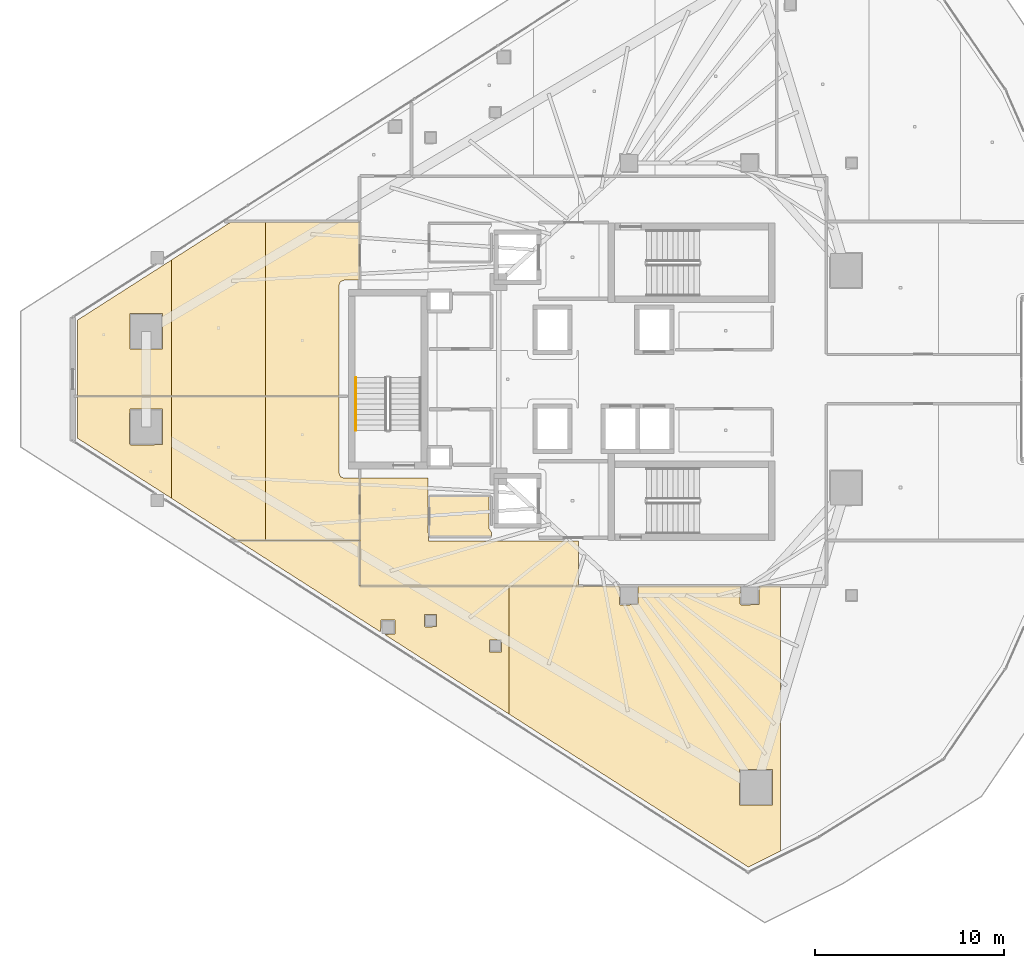
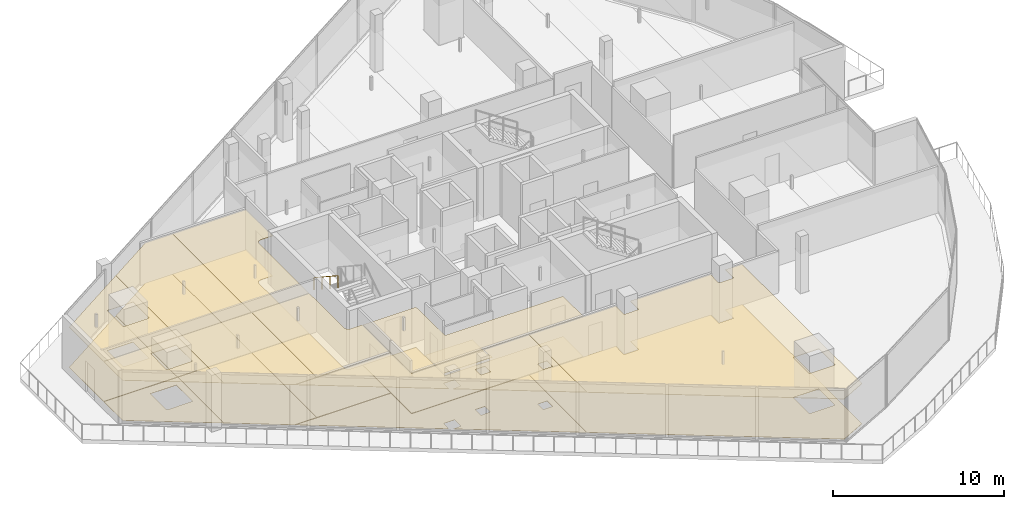
# One storey, part 28 of 33: 19 coverings, 1 railing.
"""IFC4 building model written with IfcOpenShell, lengths in metres."""

from ifc_helpers import new_model, si_unit, direction, frame, origin, origin_2d, place, context, subcontext, project, spatial, polyline, circle, outline, extrude, material, layer, layer_set, type_object, element, save


model = new_model("IFC4")

# Units and contexts
model_context = context("Model", 3, precision=1e-05, world=origin(), true_north=direction((0.0, 1.0)))
body_context = subcontext(model_context, "Body", "Model", "MODEL_VIEW")
ifc_project = project(units=[si_unit("LENGTHUNIT", "METRE"), si_unit("AREAUNIT", "SQUARE_METRE"), si_unit("VOLUMEUNIT", "CUBIC_METRE"), si_unit("PLANEANGLEUNIT", "RADIAN"), si_unit("MASSUNIT", "GRAM", prefix="KILO")], contexts=[model_context])

# Site, building, storey
site_placement = place(None, origin())
site = spatial("IfcSite", under=ifc_project, at=site_placement, CompositionType="ELEMENT")
building_placement = place(site_placement, origin())
building = spatial("IfcBuilding", under=site, at=building_placement, Name="Qorvath Tower", CompositionType="ELEMENT")
storey_placement = place(building_placement, frame((0.0, 0.0, 221.25)))
storey = spatial("IfcBuildingStorey", under=building, at=storey_placement, Name="L51", CompositionType="ELEMENT", Elevation=221.25)

# Coverings
ifc_material_1 = material(Name="Acoustic mineral fibre ceiling tile", Category="gypsum")
ifc_layer_1 = layer(ifc_material_1, 0.030029296875)
ifc_layer_set_1 = layer_set([ifc_layer_1], Name="COV-CEIL")
covering_type_1 = type_object("IfcCoveringType", Name="COV-CEIL", PredefinedType="CEILING", material=ifc_layer_set_1)
covering_1_placement = place(storey_placement, frame((0.0, 0.0, 2.85009765625)))
element("IfcCovering", 1, at=covering_1_placement, inside=storey, type_object=covering_type_1, Name="L51 Suspended Acoustic Ceiling 009", PredefinedType="CEILING", context=body_context, shape_type="SweptSolid", body=[
    extrude(outline(polyline([(-34.22509765625, -8.580078125), (-34.251220703125, -5.239990234375), (-37.844970703125, -5.239990234375), (-37.844970703125, -10.945068359375), (-26.2587890625, -10.945068359375), (-26.2587890625, -8.574951171875), (-34.22509765625, -8.580078125)])), origin(), (0.0, 0.0, 1.0), 0.030029296875),
])
covering_2_placement = place(storey_placement, frame((0.0, 0.0, 2.85009765625)))
element("IfcCovering", 2, at=covering_2_placement, inside=storey, type_object=covering_type_1, Name="L51 Suspended Acoustic Ceiling 019", PredefinedType="CEILING", context=body_context, shape_type="SweptSolid", body=[
    extrude(outline(polyline([(-29.949951171875, -17.739501953125), (-29.949951171875, -10.962890625), (-37.85791015625, -10.962890625), (-37.863037109375, -8.554931640625), (-44.3203125, -8.554931640625), (-36.749755859375, -13.3935546875), (-36.732177734375, -12.76806640625), (-35.997314453125, -12.76806640625), (-35.997314453125, -13.5029296875), (-36.551025390625, -13.5205078125), (-29.949951171875, -17.739501953125)]), holes=[polyline([(-30.99462890625, -14.441650390625), (-30.99462890625, -13.806884765625), (-30.35986328125, -13.806884765625), (-30.35986328125, -14.441650390625), (-30.99462890625, -14.441650390625)]), polyline([(-34.439208984375, -13.0673828125), (-34.421630859375, -12.47509765625), (-33.786865234375, -12.47509765625), (-33.786865234375, -13.10986328125), (-34.379150390625, -13.12744140625), (-34.439208984375, -13.0673828125)])]), origin(), (0.0, 0.0, 1.0), 0.030029296875),
])
covering_3_placement = place(storey_placement, frame((0.0, 0.0, 2.85009765625)))
element("IfcCovering", 3, at=covering_3_placement, inside=storey, type_object=covering_type_1, Name="L51 Suspended Acoustic Ceiling 020", PredefinedType="CEILING", context=body_context, shape_type="SweptSolid", body=[
    extrude(outline(polyline([(-15.579345703125, -24.994873046875), (-15.579345703125, -10.962890625), (-16.705322265625, -10.962890625), (-16.70751953125, -11.9423828125), (-17.64990234375, -11.9599609375), (-17.7099609375, -11.89990234375), (-17.694580078125, -10.962890625), (-23.105224609375, -10.962890625), (-23.107666015625, -11.9423828125), (-24.050048828125, -11.9599609375), (-24.110107421875, -11.89990234375), (-24.0947265625, -10.962890625), (-29.949951171875, -10.962890625), (-29.949951171875, -17.739501953125), (-17.273193359375, -25.841796875), (-15.579345703125, -24.994873046875)]), holes=[polyline([(-17.739013671875, -22.569580078125), (-17.739013671875, -20.6845703125), (-16.00439453125, -20.6845703125), (-16.00439453125, -22.569580078125), (-17.739013671875, -22.569580078125)])]), origin(), (0.0, 0.0, 1.0), 0.030029296875),
])
covering_4_placement = place(storey_placement, frame((0.0, 0.0, 2.85009765625)))
element("IfcCovering", 4, at=covering_4_placement, inside=storey, type_object=covering_type_1, Name="L51 Suspended Acoustic Ceiling 026", PredefinedType="CEILING", context=body_context, shape_type="SweptSolid", body=[
    extrude(outline(polyline([(-47.82958984375, -6.31201171875), (-47.82958984375, -0.915283203125), (-52.812744140625, -0.915283203125), (-52.812744140625, -3.127197265625), (-47.82958984375, -6.31201171875)]), holes=[polyline([(-50.056884765625, -3.427734375), (-50.039306640625, -1.58544921875), (-48.304443359375, -1.58544921875), (-48.304443359375, -3.47021484375), (-49.996826171875, -3.48779296875), (-50.056884765625, -3.427734375)])]), origin(), (0.0, 0.0, 1.0), 0.030029296875),
])
covering_5_placement = place(storey_placement, frame((0.0, 0.0, 2.85009765625)))
element("IfcCovering", 5, at=covering_5_placement, inside=storey, type_object=covering_type_1, Name="L51 Suspended Acoustic Ceiling 027", PredefinedType="CEILING", context=body_context, shape_type="SweptSolid", body=[
    extrude(outline(polyline([(-42.84619140625, -8.537109375), (-42.84619140625, -0.915283203125), (-47.82958984375, -0.915283203125), (-47.82958984375, -6.31201171875), (-44.348388671875, -8.537109375), (-42.84619140625, -8.537109375)])), origin(), (0.0, 0.0, 1.0), 0.030029296875),
])
covering_6_placement = place(storey_placement, frame((0.0, 0.0, 2.85009765625)))
element("IfcCovering", 6, at=covering_6_placement, inside=storey, type_object=covering_type_1, Name="L51 Suspended Acoustic Ceiling 028", PredefinedType="CEILING", context=body_context, shape_type="SweptSolid", body=[
    extrude(outline(polyline([(-37.863037109375, -8.537109375), (-37.863037109375, -5.239990234375), (-38.699951171875, -5.239990234375), (-38.876708984375, -5.166748046875), (-38.949951171875, -4.989990234375), (-38.949951171875, -0.915283203125), (-42.84619140625, -0.915283203125), (-42.84619140625, -8.537109375), (-37.863037109375, -8.537109375)])), origin(), (0.0, 0.0, 1.0), 0.030029296875),
])
covering_7_placement = place(storey_placement, frame((0.0, 0.0, 2.85009765625)))
element("IfcCovering", 7, at=covering_7_placement, inside=storey, type_object=covering_type_1, Name="L51 Suspended Acoustic Ceiling 029", PredefinedType="CEILING", context=body_context, shape_type="SweptSolid", body=[
    extrude(outline(polyline([(-47.82958984375, -0.897216796875), (-47.82958984375, 6.31201171875), (-52.812744140625, 3.127197265625), (-52.812744140625, -0.897216796875), (-47.82958984375, -0.897216796875)]), holes=[polyline([(-50.039306640625, 1.58544921875), (-50.039306640625, 3.47021484375), (-48.304443359375, 3.47021484375), (-48.304443359375, 1.58544921875), (-50.039306640625, 1.58544921875)])]), origin(), (0.0, 0.0, 1.0), 0.030029296875),
])
covering_8_placement = place(storey_placement, frame((0.0, 0.0, 2.85009765625)))
element("IfcCovering", 8, at=covering_8_placement, inside=storey, type_object=covering_type_1, Name="L51 Suspended Acoustic Ceiling 030", PredefinedType="CEILING", context=body_context, shape_type="SweptSolid", body=[
    extrude(outline(polyline([(-42.84619140625, -0.897216796875), (-42.84619140625, 8.3369140625), (-44.661376953125, 8.3369140625), (-47.82958984375, 6.31201171875), (-47.82958984375, -0.897216796875), (-42.84619140625, -0.897216796875)])), origin(), (0.0, 0.0, 1.0), 0.030029296875),
])
covering_9_placement = place(storey_placement, frame((0.0, 0.0, 2.85009765625)))
element("IfcCovering", 9, at=covering_9_placement, inside=storey, type_object=covering_type_1, Name="L51 Suspended Acoustic Ceiling 031", PredefinedType="CEILING", context=body_context, shape_type="SweptSolid", body=[
    extrude(outline(polyline([(-37.863037109375, 5.239990234375), (-37.863037109375, 8.3369140625), (-42.84619140625, 8.3369140625), (-42.84619140625, -0.897216796875), (-38.949951171875, -0.897216796875), (-38.949951171875, 4.989990234375), (-38.876708984375, 5.166748046875), (-38.699951171875, 5.239990234375), (-37.863037109375, 5.239990234375)])), origin(), (0.0, 0.0, 1.0), 0.030029296875),
])
ifc_material_2 = material(Name="Low-VOC modular carpet tile", Category="textile")
ifc_layer_2 = layer(ifc_material_2, 0.014892578125)
ifc_layer_set_2 = layer_set([ifc_layer_2], Name="COV-FLOOR-CPT")
covering_type_2 = type_object("IfcCoveringType", Name="COV-FLOOR-CPT", PredefinedType="FLOORING", material=ifc_layer_set_2)
covering_10_placement = place(storey_placement, origin())
element("IfcCovering", 10, at=covering_10_placement, inside=storey, type_object=covering_type_2, Name="L51 Floor Finish 019", PredefinedType="FLOORING", context=body_context, shape_type="SweptSolid", body=[
    extrude(outline(polyline([(-29.949951171875, -17.739501953125), (-29.949951171875, -10.962890625), (-37.85791015625, -10.962890625), (-37.863037109375, -8.554931640625), (-44.3203125, -8.554931640625), (-36.749755859375, -13.3935546875), (-36.732177734375, -12.76806640625), (-35.997314453125, -12.76806640625), (-35.997314453125, -13.5029296875), (-36.551025390625, -13.5205078125), (-29.949951171875, -17.739501953125)]), holes=[polyline([(-30.99462890625, -14.441650390625), (-30.99462890625, -13.806884765625), (-30.35986328125, -13.806884765625), (-30.35986328125, -14.441650390625), (-30.99462890625, -14.441650390625)]), polyline([(-34.439208984375, -13.0673828125), (-34.421630859375, -12.47509765625), (-33.786865234375, -12.47509765625), (-33.786865234375, -13.10986328125), (-34.379150390625, -13.12744140625), (-34.439208984375, -13.0673828125)])]), origin(), (0.0, 0.0, 1.0), 0.014892578125),
])
covering_11_placement = place(storey_placement, origin())
element("IfcCovering", 11, at=covering_11_placement, inside=storey, type_object=covering_type_2, Name="L51 Floor Finish 020", PredefinedType="FLOORING", context=body_context, shape_type="SweptSolid", body=[
    extrude(outline(polyline([(-15.579345703125, -24.994873046875), (-15.579345703125, -10.962890625), (-16.705322265625, -10.962890625), (-16.70751953125, -11.9423828125), (-17.64990234375, -11.9599609375), (-17.7099609375, -11.89990234375), (-17.694580078125, -10.962890625), (-23.105224609375, -10.962890625), (-23.107666015625, -11.9423828125), (-24.050048828125, -11.9599609375), (-24.110107421875, -11.89990234375), (-24.0947265625, -10.962890625), (-29.949951171875, -10.962890625), (-29.949951171875, -17.739501953125), (-17.273193359375, -25.841796875), (-15.579345703125, -24.994873046875)]), holes=[polyline([(-17.739013671875, -22.569580078125), (-17.739013671875, -20.6845703125), (-16.00439453125, -20.6845703125), (-16.00439453125, -22.569580078125), (-17.739013671875, -22.569580078125)])]), origin(), (0.0, 0.0, 1.0), 0.014892578125),
])
covering_12_placement = place(storey_placement, origin())
element("IfcCovering", 12, at=covering_12_placement, inside=storey, type_object=covering_type_2, Name="L51 Floor Finish 026", PredefinedType="FLOORING", context=body_context, shape_type="SweptSolid", body=[
    extrude(outline(polyline([(-47.82958984375, -6.31201171875), (-47.82958984375, -0.915283203125), (-52.812744140625, -0.915283203125), (-52.812744140625, -3.127197265625), (-47.82958984375, -6.31201171875)]), holes=[polyline([(-50.056884765625, -3.427734375), (-50.039306640625, -1.58544921875), (-48.304443359375, -1.58544921875), (-48.304443359375, -3.47021484375), (-49.996826171875, -3.48779296875), (-50.056884765625, -3.427734375)])]), origin(), (0.0, 0.0, 1.0), 0.014892578125),
])
covering_13_placement = place(storey_placement, origin())
element("IfcCovering", 13, at=covering_13_placement, inside=storey, type_object=covering_type_2, Name="L51 Floor Finish 027", PredefinedType="FLOORING", context=body_context, shape_type="SweptSolid", body=[
    extrude(outline(polyline([(-42.84619140625, -8.537109375), (-42.84619140625, -0.915283203125), (-47.82958984375, -0.915283203125), (-47.82958984375, -6.31201171875), (-44.348388671875, -8.537109375), (-42.84619140625, -8.537109375)])), origin(), (0.0, 0.0, 1.0), 0.014892578125),
])
covering_14_placement = place(storey_placement, origin())
element("IfcCovering", 14, at=covering_14_placement, inside=storey, type_object=covering_type_2, Name="L51 Floor Finish 028", PredefinedType="FLOORING", context=body_context, shape_type="SweptSolid", body=[
    extrude(outline(polyline([(-37.863037109375, -8.537109375), (-37.863037109375, -5.239990234375), (-38.699951171875, -5.239990234375), (-38.876708984375, -5.166748046875), (-38.949951171875, -4.989990234375), (-38.949951171875, -0.915283203125), (-42.84619140625, -0.915283203125), (-42.84619140625, -8.537109375), (-37.863037109375, -8.537109375)])), origin(), (0.0, 0.0, 1.0), 0.014892578125),
])
covering_15_placement = place(storey_placement, origin())
element("IfcCovering", 15, at=covering_15_placement, inside=storey, type_object=covering_type_2, Name="L51 Floor Finish 029", PredefinedType="FLOORING", context=body_context, shape_type="SweptSolid", body=[
    extrude(outline(polyline([(-47.82958984375, -0.897216796875), (-47.82958984375, 6.31201171875), (-52.812744140625, 3.127197265625), (-52.812744140625, -0.897216796875), (-47.82958984375, -0.897216796875)]), holes=[polyline([(-50.039306640625, 1.58544921875), (-50.039306640625, 3.47021484375), (-48.304443359375, 3.47021484375), (-48.304443359375, 1.58544921875), (-50.039306640625, 1.58544921875)])]), origin(), (0.0, 0.0, 1.0), 0.014892578125),
])
covering_16_placement = place(storey_placement, origin())
element("IfcCovering", 16, at=covering_16_placement, inside=storey, type_object=covering_type_2, Name="L51 Floor Finish 030", PredefinedType="FLOORING", context=body_context, shape_type="SweptSolid", body=[
    extrude(outline(polyline([(-42.84619140625, -0.897216796875), (-42.84619140625, 8.3369140625), (-44.661376953125, 8.3369140625), (-47.82958984375, 6.31201171875), (-47.82958984375, -0.897216796875), (-42.84619140625, -0.897216796875)])), origin(), (0.0, 0.0, 1.0), 0.014892578125),
])
covering_17_placement = place(storey_placement, origin())
element("IfcCovering", 17, at=covering_17_placement, inside=storey, type_object=covering_type_2, Name="L51 Floor Finish 031", PredefinedType="FLOORING", context=body_context, shape_type="SweptSolid", body=[
    extrude(outline(polyline([(-37.863037109375, 5.239990234375), (-37.863037109375, 8.3369140625), (-42.84619140625, 8.3369140625), (-42.84619140625, -0.897216796875), (-38.949951171875, -0.897216796875), (-38.949951171875, 4.989990234375), (-38.876708984375, 5.166748046875), (-38.699951171875, 5.239990234375), (-37.863037109375, 5.239990234375)])), origin(), (0.0, 0.0, 1.0), 0.014892578125),
])
ifc_material_3 = material(Name="Polished epoxy terrazzo flooring", Category="concrete")
ifc_layer_3 = layer(ifc_material_3, 0.02001953125)
ifc_layer_set_3 = layer_set([ifc_layer_3], Name="COV-FLOOR-TRZ")
covering_type_3 = type_object("IfcCoveringType", Name="COV-FLOOR-TRZ", PredefinedType="FLOORING", material=ifc_layer_set_3)
covering_18_placement = place(storey_placement, origin())
element("IfcCovering", 18, at=covering_18_placement, inside=storey, type_object=covering_type_3, Name="L51 Floor Finish 007", PredefinedType="FLOORING", context=body_context, shape_type="SweptSolid", body=[
    extrude(outline(polyline([(-30.885009765625, -8.344970703125), (-30.885009765625, -8.108154296875), (-31.010009765625, -7.909912109375), (-31.010009765625, -6.205078125), (-34.175048828125, -6.205078125), (-34.175048828125, -8.344970703125), (-30.885009765625, -8.344970703125)])), origin(), (0.0, 0.0, 1.0), 0.014892578125),
])
covering_19_placement = place(storey_placement, origin())
element("IfcCovering", 19, at=covering_19_placement, inside=storey, type_object=covering_type_3, Name="L51 Floor Finish 009", PredefinedType="FLOORING", context=body_context, shape_type="SweptSolid", body=[
    extrude(outline(polyline([(-34.22509765625, -8.580078125), (-34.251220703125, -5.239990234375), (-37.844970703125, -5.239990234375), (-37.844970703125, -10.945068359375), (-26.2587890625, -10.945068359375), (-26.2587890625, -8.574951171875), (-34.22509765625, -8.580078125)])), origin(), (0.0, 0.0, 1.0), 0.014892578125),
])

# Railing
ifc_material_4 = material(Name="Brushed stainless steel AISI 304", Category="steel")
railing_type = type_object("IfcRailingType", Name="RL-STR-HND", PredefinedType="HANDRAIL", material=ifc_material_4)
railing_placement = place(storey_placement, frame((-38.06005859375, 0.080078125, 2.208984375)))
element("IfcRailing", 20, at=railing_placement, inside=storey, type_object=railing_type, Name="L51 TS3 stair handrail 2", PredefinedType="HANDRAIL", context=body_context, shape_type="SweptSolid", body=[
    extrude(circle(Radius=0.02392578125, at=origin_2d()), frame((0.0, 0.0, 0.8759765625), z_axis=(0.0, -0.83556406348, 0.549393024911), x_axis=(1.0, 0.0, 0.0)), (0.0, 0.0, 1.0), 3.35107421875),
    extrude(circle(Radius=0.02099609375, at=origin_2d()), origin(), (0.0, 0.0, 1.0), 0.851806640625),
    extrude(circle(Radius=0.02099609375, at=origin_2d()), frame((0.0, -0.933349609375, 0.61376953125)), (0.0, 0.0, 1.0), 0.851806640625),
    extrude(circle(Radius=0.02099609375, at=origin_2d()), frame((0.0, -1.86669921875, 1.227294921875)), (0.0, 0.0, 1.0), 0.851806640625),
    extrude(circle(Radius=0.02099609375, at=origin_2d()), frame((0.0, -2.800048828125, 1.841064453125)), (0.0, 0.0, 1.0), 0.851806640625),
])

save(model, "model.ifc")
